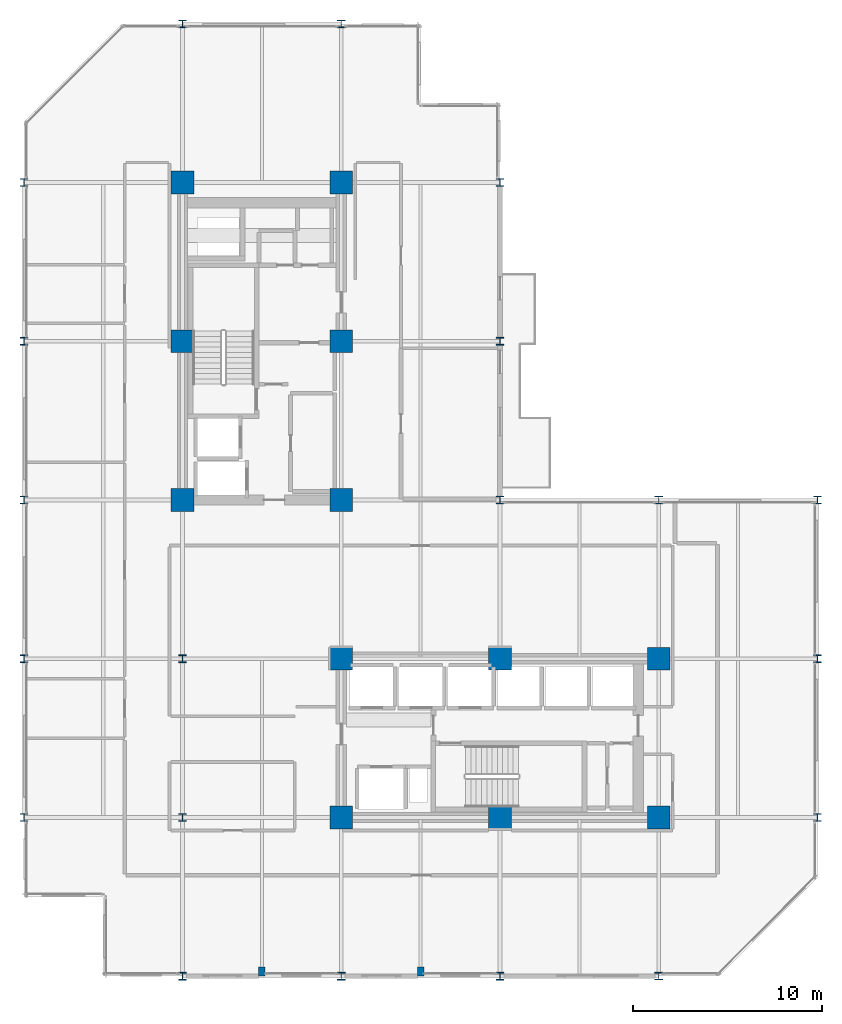
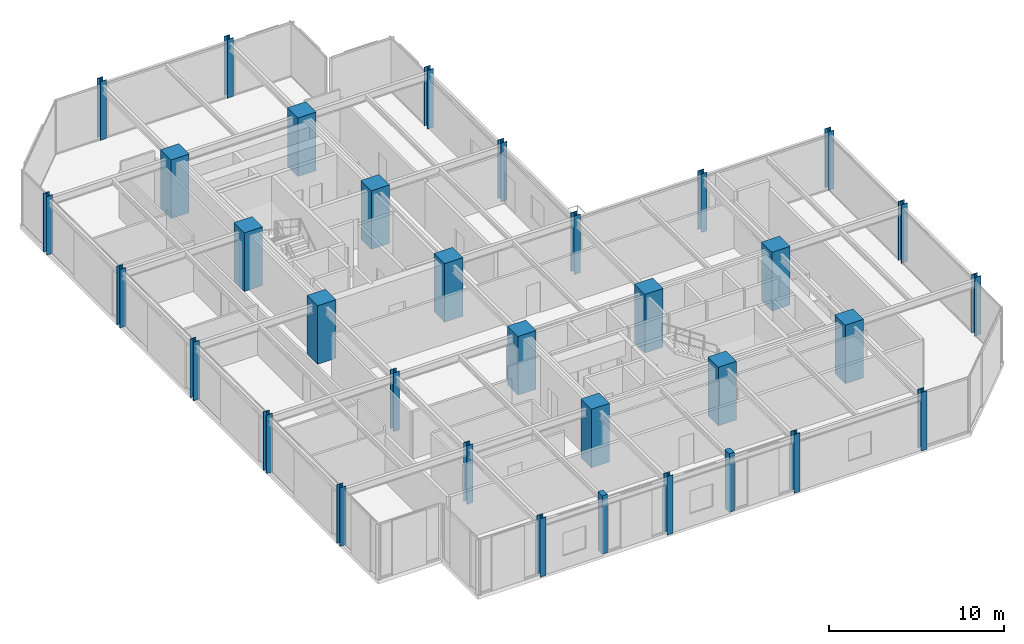
# One storey, part 1 of 29: 34 columns.
"""IFC4 building model written with IfcOpenShell, lengths in metres."""

from ifc_helpers import new_model, si_unit, direction, frame, origin, origin_2d, place, context, subcontext, project, spatial, rectangle, i_section, extrude, material, material_profile, profile_set, type_object, element, save


model = new_model("IFC4")

# Units and contexts
model_context = context("Model", 3, precision=1e-05, world=origin(), true_north=direction((0.0, 1.0)))
body_context = subcontext(model_context, "Body", "Model", "MODEL_VIEW")
ifc_project = project(units=[si_unit("LENGTHUNIT", "METRE"), si_unit("AREAUNIT", "SQUARE_METRE"), si_unit("VOLUMEUNIT", "CUBIC_METRE"), si_unit("PLANEANGLEUNIT", "RADIAN"), si_unit("MASSUNIT", "GRAM", prefix="KILO")], contexts=[model_context])

# Site, building, storey
site_placement = place(None, origin())
site = spatial("IfcSite", under=ifc_project, at=site_placement, CompositionType="ELEMENT")
building_placement = place(site_placement, origin())
building = spatial("IfcBuilding", under=site, at=building_placement, Name="Nerrivon Quay Data Exchange", CompositionType="ELEMENT")
storey_placement = place(building_placement, frame((0.0, 0.0, 137.699951171875)))
storey = spatial("IfcBuildingStorey", under=building, at=storey_placement, Name="L32", CompositionType="ELEMENT", Elevation=137.699951171875)

# Columns
ifc_material_1 = material(Name="Concrete S65 (65 MPa)", Category="concrete")
ifc_material_profile_1 = material_profile(ifc_material_1, rectangle(XDim=1.199951171875, YDim=1.199951171875, at=origin_2d()), Name="RC-COL-1200x1200")
ifc_profile_set_1 = profile_set([ifc_material_profile_1], Name="Concrete S65 (65 MPa)")
column_type_1 = type_object("IfcColumnType", Name="COL-C3-1200", PredefinedType="COLUMN", material=ifc_profile_set_1)
for number, where, z_axis, x_axis, name in (
    (1, (8.39990234375, 25.199951171875, 0.0), (0.0, 0.0, 1.0), (1.0, 0.0, 0.0), "L32 Column (8.4,25.2)"),
    (2, (8.39990234375, 33.60009765625, 0.0), (0.0, 0.0, 1.0), (1.0, 0.0, 0.0), "L32 Column (8.4,33.6)"),
    (3, (8.39990234375, 42.0, 0.0), (0.0, 0.0, 1.0), (1.0, 0.0, 0.0), "L32 Column (8.4,42.0)"),
    (4, (16.800048828125, 8.39990234375, 0.0), (0.0, 0.0, 1.0), (1.0, 0.0, 0.0), "L32 Column (16.8,8.4)"),
    (5, (16.800048828125, 16.800048828125, 0.0), (0.0, 0.0, 1.0), (1.0, 0.0, 0.0), "L32 Column (16.8,16.8)"),
    (6, (16.800048828125, 25.199951171875, 0.0), (0.0, 0.0, 1.0), (1.0, 0.0, 0.0), "L32 Column (16.8,25.2)"),
    (7, (16.800048828125, 33.60009765625, 0.0), (0.0, 0.0, 1.0), (1.0, 0.0, 0.0), "L32 Column (16.8,33.6)"),
    (8, (16.800048828125, 42.0, 0.0), (0.0, 0.0, 1.0), (1.0, 0.0, 0.0), "L32 Column (16.8,42.0)"),
    (9, (25.199951171875, 8.39990234375, 0.0), (0.0, 0.0, 1.0), (1.0, 0.0, 0.0), "L32 Column (25.2,8.4)"),
    (10, (25.199951171875, 16.800048828125, 0.0), (0.0, 0.0, 1.0), (1.0, 0.0, 0.0), "L32 Column (25.2,16.8)"),
    (11, (33.60009765625, 8.39990234375, 0.0), (0.0, 0.0, 1.0), (1.0, 0.0, 0.0), "L32 Column (33.6,8.4)"),
    (12, (33.60009765625, 16.800048828125, 0.0), (0.0, 0.0, 1.0), (1.0, 0.0, 0.0), "L32 Column (33.6,16.8)"),
):
    element("IfcColumn", number, at=place(storey_placement, frame(where, z_axis=z_axis, x_axis=x_axis)), inside=storey, type_object=column_type_1, Name=name, PredefinedType="COLUMN", context=body_context, shape_type="SweptSolid", body=[
        extrude(rectangle(XDim=1.199951171875, YDim=1.199951171875, at=origin_2d()), origin(), (0.0, 0.0, 1.0), 4.10009765625),
    ])
ifc_material_2 = material(Name="Steel Grade 350", Category="steel")
ifc_material_profile_2 = material_profile(ifc_material_2, i_section(OverallWidth=0.39990234375, OverallDepth=0.39990234375, WebThickness=0.02490234375, FlangeThickness=0.0400390625, at=origin_2d()), Name="400WC328")
ifc_profile_set_2 = profile_set([ifc_material_profile_2], Name="Steel Grade 350")
column_type_2 = type_object("IfcColumnType", Name="COL-SC2-400WC", PredefinedType="COLUMN", material=ifc_profile_set_2)
for number, where, z_axis, x_axis, name in (
    (13, (0.0, 8.39990234375, 0.0), (0.0, 0.0, 1.0), (1.0, 0.0, 0.0), "L32 Column (0.0,8.4)"),
    (14, (0.0, 16.800048828125, 0.0), (0.0, 0.0, 1.0), (1.0, 0.0, 0.0), "L32 Column (0.0,16.8)"),
    (15, (0.0, 25.199951171875, 0.0), (0.0, 0.0, 1.0), (1.0, 0.0, 0.0), "L32 Column (0.0,25.2)"),
    (16, (0.0, 33.60009765625, 0.0), (0.0, 0.0, 1.0), (1.0, 0.0, 0.0), "L32 Column (0.0,33.6)"),
    (17, (0.0, 42.0, 0.0), (0.0, 0.0, 1.0), (1.0, 0.0, 0.0), "L32 Column (0.0,42.0)"),
    (18, (8.39990234375, 0.0, 0.0), (0.0, 0.0, 1.0), (1.0, 0.0, 0.0), "L32 Column (8.4,0.0)"),
    (19, (8.39990234375, 8.39990234375, 0.0), (0.0, 0.0, 1.0), (1.0, 0.0, 0.0), "L32 Column (8.4,8.4)"),
    (20, (8.39990234375, 16.800048828125, 0.0), (0.0, 0.0, 1.0), (1.0, 0.0, 0.0), "L32 Column (8.4,16.8)"),
    (21, (8.39990234375, 50.39990234375, 0.0), (0.0, 0.0, 1.0), (1.0, 0.0, 0.0), "L32 Column (8.4,50.4)"),
    (22, (16.800048828125, 0.0, 0.0), (0.0, 0.0, 1.0), (1.0, 0.0, 0.0), "L32 Column (16.8,0.0)"),
    (23, (16.800048828125, 50.39990234375, 0.0), (0.0, 0.0, 1.0), (1.0, 0.0, 0.0), "L32 Column (16.8,50.4)"),
    (24, (25.199951171875, 0.0, 0.0), (0.0, 0.0, 1.0), (1.0, 0.0, 0.0), "L32 Column (25.2,0.0)"),
    (25, (25.199951171875, 25.199951171875, 0.0), (0.0, 0.0, 1.0), (1.0, 0.0, 0.0), "L32 Column (25.2,25.2)"),
    (26, (25.199951171875, 33.60009765625, 0.0), (0.0, 0.0, 1.0), (1.0, 0.0, 0.0), "L32 Column (25.2,33.6)"),
    (27, (25.199951171875, 42.0, 0.0), (0.0, 0.0, 1.0), (1.0, 0.0, 0.0), "L32 Column (25.2,42.0)"),
    (28, (33.60009765625, 0.0, 0.0), (0.0, 0.0, 1.0), (1.0, 0.0, 0.0), "L32 Column (33.6,0.0)"),
    (29, (33.60009765625, 25.199951171875, 0.0), (0.0, 0.0, 1.0), (1.0, 0.0, 0.0), "L32 Column (33.6,25.2)"),
    (30, (42.0, 8.39990234375, 0.0), (0.0, 0.0, 1.0), (1.0, 0.0, 0.0), "L32 Column (42.0,8.4)"),
    (31, (42.0, 16.800048828125, 0.0), (0.0, 0.0, 1.0), (1.0, 0.0, 0.0), "L32 Column (42.0,16.8)"),
    (32, (42.0, 25.199951171875, 0.0), (0.0, 0.0, 1.0), (1.0, 0.0, 0.0), "L32 Column (42.0,25.2)"),
):
    element("IfcColumn", number, at=place(storey_placement, frame(where, z_axis=z_axis, x_axis=x_axis)), inside=storey, type_object=column_type_2, Name=name, PredefinedType="COLUMN", context=body_context, shape_type="SweptSolid", body=[
        extrude(i_section(OverallWidth=0.39990234375, OverallDepth=0.39990234375, WebThickness=0.02490234375, FlangeThickness=0.0400390625, at=origin_2d()), origin(), (0.0, 0.0, 1.0), 4.10009765625),
    ])
ifc_material_3 = material(Name="Concrete N50 (50 MPa)", Category="concrete")
ifc_material_profile_3 = material_profile(ifc_material_3, rectangle(XDim=0.35009765625, YDim=0.5, at=origin_2d()), Name="RC-PIL-500x350")
ifc_profile_set_3 = profile_set([ifc_material_profile_3], Name="Concrete N50 (50 MPa)")
column_type_3 = type_object("IfcColumnType", Name="PIL-P2-500x350", PredefinedType="PILASTER", material=ifc_profile_set_3)
for number, where, z_axis, x_axis, name in (
    (33, (12.60009765625, 0.25, 0.0), (0.0, 0.0, 1.0), (1.0, 0.0, 0.0), "L32 Facade Pilaster (12.6)"),
    (34, (21.0, 0.25, 0.0), (0.0, 0.0, 1.0), (1.0, 0.0, 0.0), "L32 Facade Pilaster (21.0)"),
):
    element("IfcColumn", number, at=place(storey_placement, frame(where, z_axis=z_axis, x_axis=x_axis)), inside=storey, type_object=column_type_3, Name=name, PredefinedType="PILASTER", context=body_context, shape_type="SweptSolid", body=[
        extrude(rectangle(XDim=0.35009765625, YDim=0.5, at=origin_2d()), origin(), (0.0, 0.0, 1.0), 4.10009765625),
    ])

save(model, "model.ifc")
